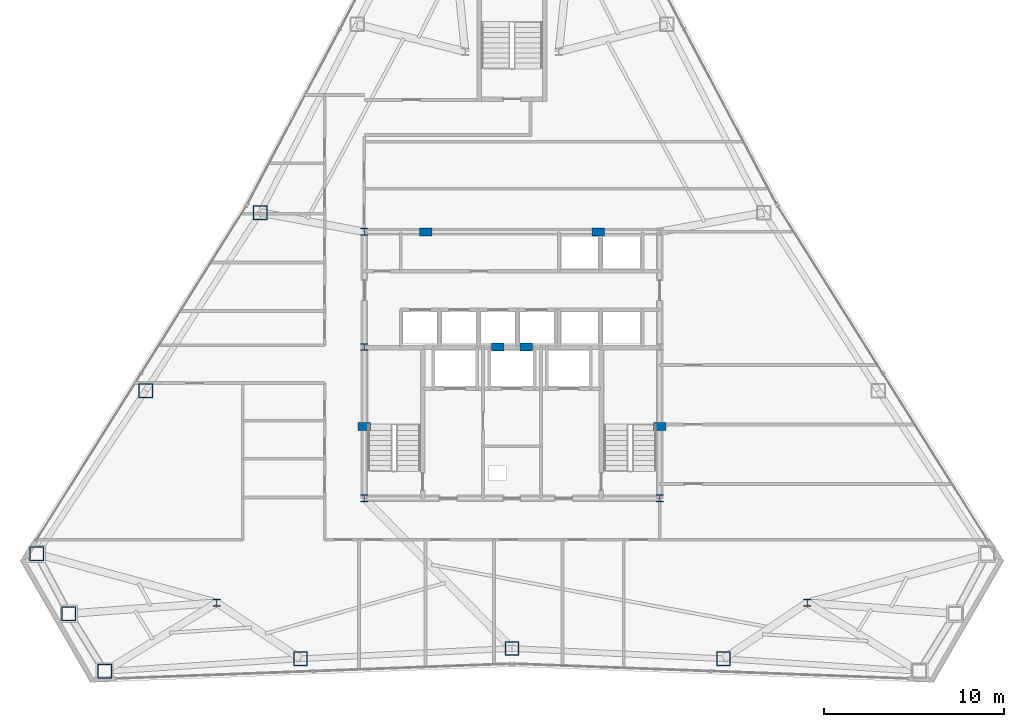
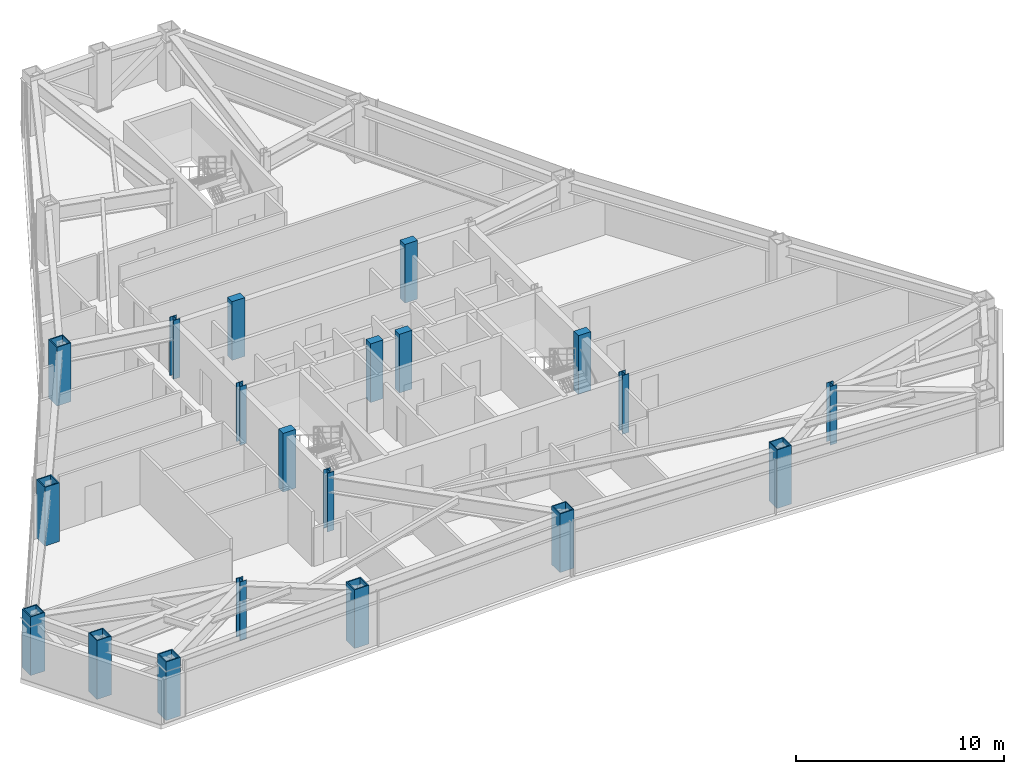
# One storey, part 1 of 13: 20 columns.
"""IFC4 building model written with IfcOpenShell, lengths in metres."""

from ifc_helpers import new_model, si_unit, direction, frame, origin, origin_2d, place, context, subcontext, project, spatial, rectangle, hollow_rectangle, i_section, extrude, material, material_profile, profile_set, type_object, element, save


model = new_model("IFC4")

# Units and contexts
model_context = context("Model", 3, precision=1e-05, world=origin(), true_north=direction((0.0, 1.0)))
body_context = subcontext(model_context, "Body", "Model", "MODEL_VIEW")
ifc_project = project(units=[si_unit("LENGTHUNIT", "METRE"), si_unit("AREAUNIT", "SQUARE_METRE"), si_unit("VOLUMEUNIT", "CUBIC_METRE"), si_unit("PLANEANGLEUNIT", "RADIAN"), si_unit("MASSUNIT", "GRAM", prefix="KILO")], contexts=[model_context])

# Site, building, storey
site_placement = place(None, origin())
site = spatial("IfcSite", under=ifc_project, at=site_placement, CompositionType="ELEMENT")
building_placement = place(site_placement, origin())
building = spatial("IfcBuilding", under=site, at=building_placement, Name="Varakhsha Concourse Tower", CompositionType="ELEMENT")
storey_placement = place(building_placement, frame((0.0, 0.0, 172.35009765625)))
storey = spatial("IfcBuildingStorey", under=building, at=storey_placement, Name="L49", CompositionType="ELEMENT", Elevation=172.35009765625)

# Columns
ifc_material_1 = material(Name="Structural Steel ASTM A992 Grade 50", Category="steel")
ifc_material_profile_1 = material_profile(ifc_material_1, i_section(OverallWidth=0.3740234375, OverallDepth=0.3720703125, WebThickness=0.01611328125, FlangeThickness=0.02587890625, at=origin_2d()), Name="W14X132")
ifc_profile_set_1 = profile_set([ifc_material_profile_1], Name="Structural Steel ASTM A992 Grade 50")
column_type_1 = type_object("IfcColumnType", Name="CL-CORE-W14X132", PredefinedType="COLUMN", material=ifc_profile_set_1)
for number, where, z_axis, x_axis, name in (
    (1, (31.800048828125, 16.39990234375, 0.0), (0.0, 0.0, 1.0), (1.0, 0.0, 0.0), "L49 Core Column CC-SW"),
    (2, (48.199951171875, 16.39990234375, 0.0), (0.0, 0.0, 1.0), (1.0, 0.0, 0.0), "L49 Core Column CC-SE"),
    (3, (31.800048828125, 24.800048828125, 0.0), (0.0, 0.0, 1.0), (1.0, 0.0, 0.0), "L49 Core Column CC-MW"),
    (4, (31.800048828125, 31.199951171875, 0.0), (0.0, 0.0, 1.0), (1.0, 0.0, 0.0), "L49 Core Column CC-NW"),
    (5, (23.60009765625, 10.60009765625, 0.0), (0.0, 0.0, 1.0), (1.0, 0.0, 0.0), "L49 Core Column SS-W"),
    (6, (56.39990234375, 10.60009765625, 0.0), (0.0, 0.0, 1.0), (1.0, 0.0, 0.0), "L49 Core Column SS-E"),
):
    element("IfcColumn", number, at=place(storey_placement, frame(where, z_axis=z_axis, x_axis=x_axis)), inside=storey, type_object=column_type_1, Name=name, PredefinedType="COLUMN", context=body_context, shape_type="SweptSolid", body=[
        extrude(i_section(OverallWidth=0.3740234375, OverallDepth=0.3720703125, WebThickness=0.01611328125, FlangeThickness=0.02587890625, at=origin_2d()), origin(), (0.0, 0.0, 1.0), 3.449951171875),
    ])
ifc_material_2 = material(Name="Concrete fc 65 MPa", Category="concrete")
ifc_material_profile_2 = material_profile(ifc_material_2, rectangle(XDim=0.699951171875, YDim=0.449951171875, at=origin_2d()), Name="RC 700x450")
ifc_profile_set_2 = profile_set([ifc_material_profile_2], Name="Concrete fc 65 MPa")
column_type_2 = type_object("IfcColumnType", Name="CL-PIL-700X450", PredefinedType="PILASTER", material=ifc_profile_set_2)
for number, where, z_axis, x_axis, name in (
    (7, (31.800048828125, 20.39990234375, 0.0), (0.0, 0.0, 1.0), (1.0, 0.0, 0.0), "L49 Core Boundary Pilaster PIL-W1"),
    (8, (48.199951171875, 20.39990234375, 0.0), (0.0, 0.0, 1.0), (1.0, 0.0, 0.0), "L49 Core Boundary Pilaster PIL-E1"),
    (9, (35.199951171875, 31.199951171875, 0.0), (0.0, 0.0, 1.0), (1.0, 0.0, 0.0), "L49 Core Boundary Pilaster PIL-N1"),
    (10, (44.800048828125, 31.199951171875, 0.0), (0.0, 0.0, 1.0), (1.0, 0.0, 0.0), "L49 Core Boundary Pilaster PIL-N2"),
    (11, (39.199951171875, 24.800048828125, 0.0), (0.0, 0.0, 1.0), (1.0, 0.0, 0.0), "L49 Core Boundary Pilaster PIL-M1"),
    (12, (40.800048828125, 24.800048828125, 0.0), (0.0, 0.0, 1.0), (1.0, 0.0, 0.0), "L49 Core Boundary Pilaster PIL-M2"),
):
    element("IfcColumn", number, at=place(storey_placement, frame(where, z_axis=z_axis, x_axis=x_axis)), inside=storey, type_object=column_type_2, Name=name, PredefinedType="PILASTER", context=body_context, shape_type="SweptSolid", body=[
        extrude(rectangle(XDim=0.699951171875, YDim=0.449951171875, at=origin_2d()), origin(), (0.0, 0.0, 1.0), 3.449951171875),
    ])
ifc_material_3 = material(Name="Structural Steel ASTM A572 Grade 50", Category="steel")
ifc_material_profile_3 = material_profile(ifc_material_3, hollow_rectangle(XDim=0.800048828125, YDim=0.800048828125, WallThickness=0.054931640625, at=origin_2d()), Name="BOX 800x800x55")
ifc_profile_set_3 = profile_set([ifc_material_profile_3], Name="Structural Steel ASTM A572 Grade 50")
column_type_3 = type_object("IfcColumnType", Name="CL-TUBE-800", PredefinedType="COLUMN", material=ifc_profile_set_3)
for number, where, z_axis, x_axis, name in (
    (13, (26.023681640625, 32.269287109375, 0.0), (0.0, 0.0, 1.0), (1.0, 0.0, 0.0), "L49 Framed-Tube Column TC05"),
    (14, (19.6572265625, 22.383544921875, 0.0), (0.0, 0.0, 1.0), (1.0, 0.0, 0.0), "L49 Framed-Tube Column TC06"),
    (15, (13.6123046875, 13.314208984375, 0.0), (0.0, 0.0, 1.0), (1.0, 0.0, 0.0), "L49 Framed-Tube Column TC07"),
    (16, (15.388916015625, 9.99072265625, 0.0), (0.0, 0.0, 1.0), (1.0, 0.0, 0.0), "L49 Framed-Tube Column TC08"),
    (17, (17.37890625, 6.79052734375, 0.0), (0.0, 0.0, 1.0), (1.0, 0.0, 0.0), "L49 Framed-Tube Column TC09"),
    (18, (28.255615234375, 7.49072265625, 0.0), (0.0, 0.0, 1.0), (1.0, 0.0, 0.0), "L49 Framed-Tube Column TC10"),
    (19, (40.0, 8.061279296875, 0.0), (0.0, 0.0, 1.0), (1.0, 0.0, 0.0), "L49 Framed-Tube Column TC11"),
    (20, (51.744384765625, 7.49072265625, 0.0), (0.0, 0.0, 1.0), (1.0, 0.0, 0.0), "L49 Framed-Tube Column TC12"),
):
    element("IfcColumn", number, at=place(storey_placement, frame(where, z_axis=z_axis, x_axis=x_axis)), inside=storey, type_object=column_type_3, Name=name, PredefinedType="COLUMN", context=body_context, shape_type="SweptSolid", body=[
        extrude(hollow_rectangle(XDim=0.800048828125, YDim=0.800048828125, WallThickness=0.054931640625, at=origin_2d()), origin(), (0.0, 0.0, 1.0), 3.449951171875),
    ])

save(model, "model.ifc")
